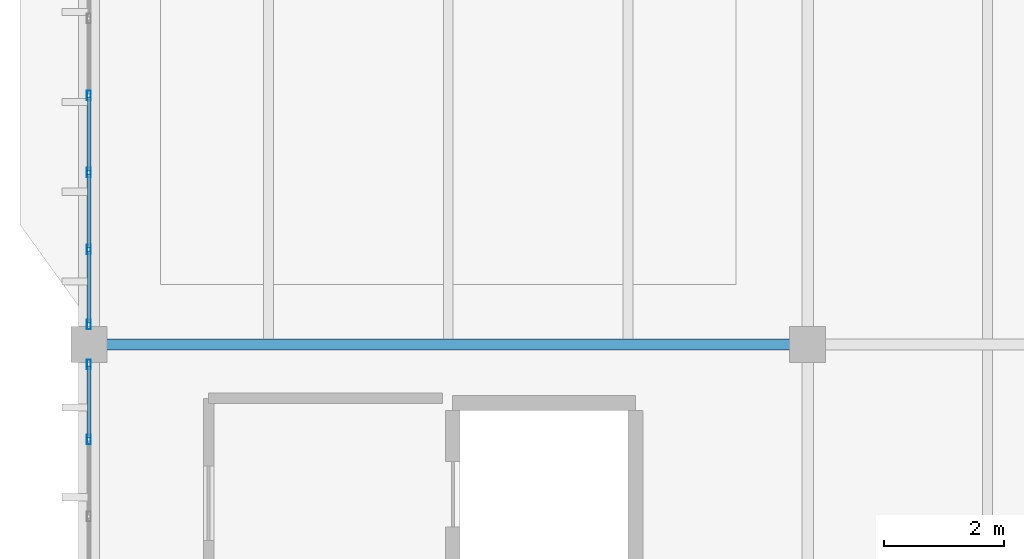
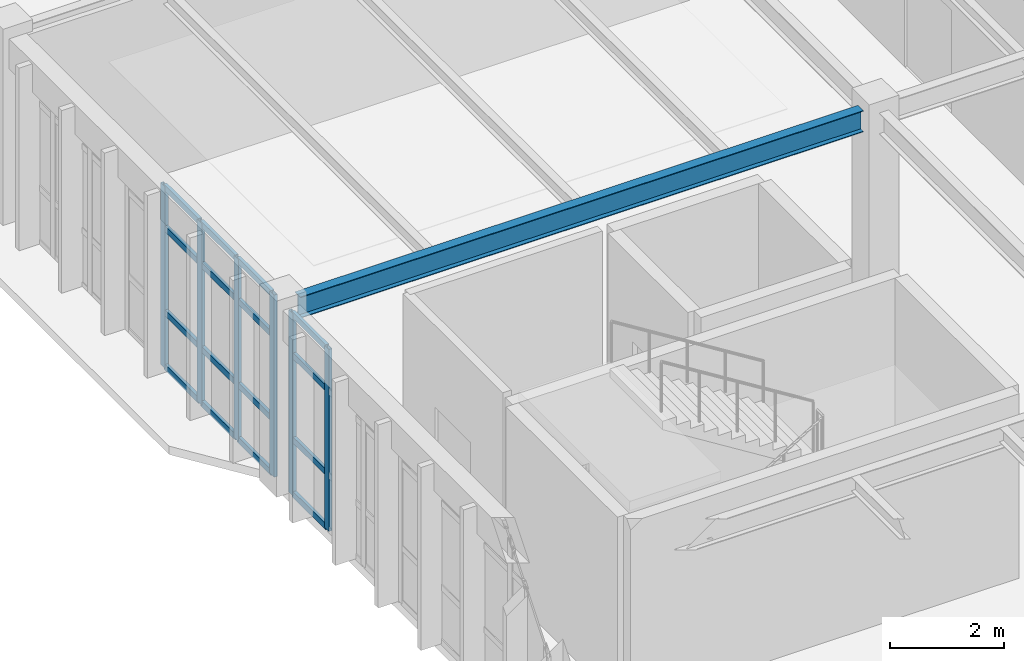
# One storey, part 11 of 37: 22 members, 1 beam, 2 elements without a shape of their own.
"""IFC4 building model written with IfcOpenShell, lengths in metres."""

from ifc_helpers import new_model, si_unit, direction, frame, origin, origin_2d, place, context, subcontext, project, spatial, hollow_rectangle, i_section, extrude, material, layer, layer_set, material_profile, profile_set, type_object, element, aggregate, save


model = new_model("IFC4")

# Units and contexts
model_context = context("Model", 3, precision=1e-05, world=origin(), true_north=direction((0.0, 1.0)))
body_context = subcontext(model_context, "Body", "Model", "MODEL_VIEW")
ifc_project = project(units=[si_unit("LENGTHUNIT", "METRE"), si_unit("AREAUNIT", "SQUARE_METRE"), si_unit("VOLUMEUNIT", "CUBIC_METRE"), si_unit("PLANEANGLEUNIT", "RADIAN"), si_unit("MASSUNIT", "GRAM", prefix="KILO")], contexts=[model_context])

# Site, building, storey
site_placement = place(None, origin())
site = spatial("IfcSite", under=ifc_project, at=site_placement, CompositionType="ELEMENT")
building_placement = place(site_placement, origin())
building = spatial("IfcBuilding", under=site, at=building_placement, Name="Pandanus Reach Market Hall", CompositionType="ELEMENT")
storey_placement = place(building_placement, frame((0.0, 0.0, 14.39990234375)))
storey = spatial("IfcBuildingStorey", under=building, at=storey_placement, Name="L03", CompositionType="ELEMENT", Elevation=14.39990234375)

# Beam
ifc_material_1 = material(Name="Steel Grade 350 (350 MPa)", Category="steel")
ifc_material_profile_1 = material_profile(ifc_material_1, i_section(OverallWidth=0.18994140625, OverallDepth=0.45703125, WebThickness=0.009033203125, FlangeThickness=0.014404296875, at=origin_2d()), Name="460UB74.6", Category="LoadBearing")
ifc_profile_set_1 = profile_set([ifc_material_profile_1], Name="Steel Grade 350 (350 MPa)")
beam_type = type_object("IfcBeamType", Name="BM-UB460-I", PredefinedType="BEAM", material=ifc_profile_set_1)
beam_placement = place(storey_placement, frame((144.298095703125, 57.60009765625, 3.726318359375), z_axis=(1.0, 0.0, 0.0), x_axis=(0.0, 1.0, 0.0)))
element("IfcBeam", 1, at=beam_placement, inside=storey, type_object=beam_type, Name="Framing beam BM-UB460-I L03.545", PredefinedType="BEAM", context=body_context, shape_type="SweptSolid", body=[
    extrude(i_section(OverallWidth=0.18994140625, OverallDepth=0.45703125, WebThickness=0.009033203125, FlangeThickness=0.014404296875, at=origin_2d()), origin(), (0.0, 0.0, 1.0), 11.40380859375),
])

# Curtain wall, members
ifc_material_2 = material(Name="Bronze anodised aluminium and low-E glass", Category="aluminium")
ifc_layer = layer(ifc_material_2, 0.159912109375, Name="CW-33")
ifc_layer_set = layer_set([ifc_layer], Name="Bronze anodised aluminium and low-E glass")
curtain_wall_type = type_object("IfcCurtainWallType", Name="CW-33", PredefinedType="NOTDEFINED", material=ifc_layer_set)
curtain_wall_1_placement = place(storey_placement, origin())
curtain_wall_1 = element("IfcCurtainWall", 2, at=curtain_wall_1_placement, inside=storey, type_object=curtain_wall_type, Name="Glazed curtain wall CW-33 CW-0124", PredefinedType="NOTDEFINED")
ifc_material_3 = material(Name="Bronze anodised aluminium", Category="aluminium")
ifc_material_profile_2 = material_profile(ifc_material_3, hollow_rectangle(XDim=0.06494140625, YDim=0.159912109375, WallThickness=0.00390625, at=origin_2d()), Name="ALU65x160", Category="LoadBearing")
ifc_profile_set_2 = profile_set([ifc_material_profile_2], Name="Bronze anodised aluminium")
member_type_1 = type_object("IfcMemberType", Name="CW-M1", PredefinedType="MULLION", material=ifc_profile_set_2)
member_1_placement = place(storey_placement, frame((144.0, 56.014404296875, 0.0), z_axis=(0.0, 0.0, 1.0), x_axis=(-1.0, 0.0, 0.0)))
member_1 = element("IfcMember", 3, at=member_1_placement, type_object=member_type_1, Name="CW-33 mullion 7", PredefinedType="MULLION", context=body_context, shape_type="SweptSolid", body=[
    extrude(hollow_rectangle(XDim=0.06494140625, YDim=0.159912109375, WallThickness=0.00390625, at=origin_2d()), origin(), (0.0, 0.0, 1.0), 3.900146484375),
])
member_2_placement = place(storey_placement, frame((144.0, 57.267578125, 0.0), z_axis=(0.0, 0.0, 1.0), x_axis=(-1.0, 0.0, 0.0)))
member_2 = element("IfcMember", 4, at=member_2_placement, type_object=member_type_1, Name="CW-33 mullion 8", PredefinedType="MULLION", context=body_context, shape_type="SweptSolid", body=[
    extrude(hollow_rectangle(XDim=0.06494140625, YDim=0.159912109375, WallThickness=0.00390625, at=origin_2d()), origin(), (0.0, 0.0, 1.0), 3.900146484375),
])

curtain_wall_2_placement = place(storey_placement, origin())
curtain_wall_2 = element("IfcCurtainWall", 5, at=curtain_wall_2_placement, inside=storey, type_object=curtain_wall_type, Name="Glazed curtain wall CW-33 CW-0125", PredefinedType="NOTDEFINED")
member_3_placement = place(storey_placement, frame((144.0, 57.9326171875, 0.0), z_axis=(0.0, 0.0, 1.0), x_axis=(-1.0, 0.0, 0.0)))
member_3 = element("IfcMember", 6, at=member_3_placement, type_object=member_type_1, Name="CW-33 mullion 1", PredefinedType="MULLION", context=body_context, shape_type="SweptSolid", body=[
    extrude(hollow_rectangle(XDim=0.06494140625, YDim=0.159912109375, WallThickness=0.00390625, at=origin_2d()), origin(), (0.0, 0.0, 1.0), 3.900146484375),
])
member_4_placement = place(storey_placement, frame((144.0, 59.185791015625, 0.0), z_axis=(0.0, 0.0, 1.0), x_axis=(-1.0, 0.0, 0.0)))
member_4 = element("IfcMember", 7, at=member_4_placement, type_object=member_type_1, Name="CW-33 mullion 2", PredefinedType="MULLION", context=body_context, shape_type="SweptSolid", body=[
    extrude(hollow_rectangle(XDim=0.06494140625, YDim=0.159912109375, WallThickness=0.00390625, at=origin_2d()), origin(), (0.0, 0.0, 1.0), 3.900146484375),
])
member_5_placement = place(storey_placement, frame((144.0, 60.471435546875, 0.0), z_axis=(0.0, 0.0, 1.0), x_axis=(-1.0, 0.0, 0.0)))
member_5 = element("IfcMember", 8, at=member_5_placement, type_object=member_type_1, Name="CW-33 mullion 3", PredefinedType="MULLION", context=body_context, shape_type="SweptSolid", body=[
    extrude(hollow_rectangle(XDim=0.06494140625, YDim=0.159912109375, WallThickness=0.00390625, at=origin_2d()), origin(), (0.0, 0.0, 1.0), 3.900146484375),
])
member_6_placement = place(storey_placement, frame((144.0, 61.757080078125, 0.0), z_axis=(0.0, 0.0, 1.0), x_axis=(-1.0, 0.0, 0.0)))
member_6 = element("IfcMember", 9, at=member_6_placement, type_object=member_type_1, Name="CW-33 mullion 4", PredefinedType="MULLION", context=body_context, shape_type="SweptSolid", body=[
    extrude(hollow_rectangle(XDim=0.06494140625, YDim=0.159912109375, WallThickness=0.00390625, at=origin_2d()), origin(), (0.0, 0.0, 1.0), 3.900146484375),
])

# Member
ifc_material_profile_3 = material_profile(ifc_material_3, hollow_rectangle(XDim=0.06494140625, YDim=0.1298828125, WallThickness=0.00390625, at=origin_2d()), Name="ALU65x130", Category="LoadBearing")
ifc_profile_set_3 = profile_set([ifc_material_profile_3], Name="Bronze anodised aluminium")
member_type_2 = type_object("IfcMemberType", Name="CW-T1", PredefinedType="USERDEFINED", material=ifc_profile_set_3)
member_7_placement = place(storey_placement, frame((144.0, 56.046875, 0.03271484375), z_axis=(0.0, 1.0, 0.0), x_axis=(-1.0, 0.0, 0.0)))
member_7 = element("IfcMember", 10, at=member_7_placement, type_object=member_type_2, Name="CW-33 transom 7.1", ObjectType="TRANSOM", PredefinedType="USERDEFINED", context=body_context, shape_type="SweptSolid", body=[
    extrude(hollow_rectangle(XDim=0.06494140625, YDim=0.1298828125, WallThickness=0.00390625, at=origin_2d()), origin(), (0.0, 0.0, 1.0), 1.188232421875),
])

member_8_placement = place(storey_placement, frame((144.0, 56.046875, 1.2001953125), z_axis=(0.0, 1.0, 0.0), x_axis=(-1.0, 0.0, 0.0)))
member_8 = element("IfcMember", 11, at=member_8_placement, type_object=member_type_2, Name="CW-33 transom 7.2", ObjectType="TRANSOM", PredefinedType="USERDEFINED", context=body_context, shape_type="SweptSolid", body=[
    extrude(hollow_rectangle(XDim=0.06494140625, YDim=0.1298828125, WallThickness=0.00390625, at=origin_2d()), origin(), (0.0, 0.0, 1.0), 1.188232421875),
])

member_9_placement = place(storey_placement, frame((144.0, 56.046875, 3.0), z_axis=(0.0, 1.0, 0.0), x_axis=(-1.0, 0.0, 0.0)))
member_9 = element("IfcMember", 12, at=member_9_placement, type_object=member_type_2, Name="CW-33 transom 7.3", ObjectType="TRANSOM", PredefinedType="USERDEFINED", context=body_context, shape_type="SweptSolid", body=[
    extrude(hollow_rectangle(XDim=0.06494140625, YDim=0.1298828125, WallThickness=0.00390625, at=origin_2d()), origin(), (0.0, 0.0, 1.0), 1.188232421875),
])

member_10_placement = place(storey_placement, frame((144.0, 56.046875, 3.86767578125), z_axis=(0.0, 1.0, 0.0), x_axis=(-1.0, 0.0, 0.0)))
member_10 = element("IfcMember", 13, at=member_10_placement, type_object=member_type_2, Name="CW-33 transom 7.4", ObjectType="TRANSOM", PredefinedType="USERDEFINED", context=body_context, shape_type="SweptSolid", body=[
    extrude(hollow_rectangle(XDim=0.06494140625, YDim=0.1298828125, WallThickness=0.00390625, at=origin_2d()), origin(), (0.0, 0.0, 1.0), 1.188232421875),
])

aggregate(curtain_wall_1, [member_1, member_2, member_7, member_8, member_9, member_10])

member_11_placement = place(storey_placement, frame((144.0, 57.965087890625, 0.03271484375), z_axis=(0.0, 1.0, 0.0), x_axis=(-1.0, 0.0, 0.0)))
member_11 = element("IfcMember", 14, at=member_11_placement, type_object=member_type_2, Name="CW-33 transom 1.1", ObjectType="TRANSOM", PredefinedType="USERDEFINED", context=body_context, shape_type="SweptSolid", body=[
    extrude(hollow_rectangle(XDim=0.06494140625, YDim=0.1298828125, WallThickness=0.00390625, at=origin_2d()), origin(), (0.0, 0.0, 1.0), 1.188232421875),
])

member_12_placement = place(storey_placement, frame((144.0, 57.965087890625, 1.2001953125), z_axis=(0.0, 1.0, 0.0), x_axis=(-1.0, 0.0, 0.0)))
member_12 = element("IfcMember", 15, at=member_12_placement, type_object=member_type_2, Name="CW-33 transom 1.2", ObjectType="TRANSOM", PredefinedType="USERDEFINED", context=body_context, shape_type="SweptSolid", body=[
    extrude(hollow_rectangle(XDim=0.06494140625, YDim=0.1298828125, WallThickness=0.00390625, at=origin_2d()), origin(), (0.0, 0.0, 1.0), 1.188232421875),
])

member_13_placement = place(storey_placement, frame((144.0, 57.965087890625, 3.0), z_axis=(0.0, 1.0, 0.0), x_axis=(-1.0, 0.0, 0.0)))
member_13 = element("IfcMember", 16, at=member_13_placement, type_object=member_type_2, Name="CW-33 transom 1.3", ObjectType="TRANSOM", PredefinedType="USERDEFINED", context=body_context, shape_type="SweptSolid", body=[
    extrude(hollow_rectangle(XDim=0.06494140625, YDim=0.1298828125, WallThickness=0.00390625, at=origin_2d()), origin(), (0.0, 0.0, 1.0), 1.188232421875),
])

member_14_placement = place(storey_placement, frame((144.0, 57.965087890625, 3.86767578125), z_axis=(0.0, 1.0, 0.0), x_axis=(-1.0, 0.0, 0.0)))
member_14 = element("IfcMember", 17, at=member_14_placement, type_object=member_type_2, Name="CW-33 transom 1.4", ObjectType="TRANSOM", PredefinedType="USERDEFINED", context=body_context, shape_type="SweptSolid", body=[
    extrude(hollow_rectangle(XDim=0.06494140625, YDim=0.1298828125, WallThickness=0.00390625, at=origin_2d()), origin(), (0.0, 0.0, 1.0), 1.188232421875),
])

member_15_placement = place(storey_placement, frame((144.0, 59.21826171875, 0.03271484375), z_axis=(0.0, 1.0, 0.0), x_axis=(-1.0, 0.0, 0.0)))
member_15 = element("IfcMember", 18, at=member_15_placement, type_object=member_type_2, Name="CW-33 transom 2.1", ObjectType="TRANSOM", PredefinedType="USERDEFINED", context=body_context, shape_type="SweptSolid", body=[
    extrude(hollow_rectangle(XDim=0.06494140625, YDim=0.1298828125, WallThickness=0.00390625, at=origin_2d()), origin(), (0.0, 0.0, 1.0), 1.220703125),
])

member_16_placement = place(storey_placement, frame((144.0, 59.21826171875, 1.2001953125), z_axis=(0.0, 1.0, 0.0), x_axis=(-1.0, 0.0, 0.0)))
member_16 = element("IfcMember", 19, at=member_16_placement, type_object=member_type_2, Name="CW-33 transom 2.2", ObjectType="TRANSOM", PredefinedType="USERDEFINED", context=body_context, shape_type="SweptSolid", body=[
    extrude(hollow_rectangle(XDim=0.06494140625, YDim=0.1298828125, WallThickness=0.00390625, at=origin_2d()), origin(), (0.0, 0.0, 1.0), 1.220703125),
])

member_17_placement = place(storey_placement, frame((144.0, 59.21826171875, 3.0), z_axis=(0.0, 1.0, 0.0), x_axis=(-1.0, 0.0, 0.0)))
member_17 = element("IfcMember", 20, at=member_17_placement, type_object=member_type_2, Name="CW-33 transom 2.3", ObjectType="TRANSOM", PredefinedType="USERDEFINED", context=body_context, shape_type="SweptSolid", body=[
    extrude(hollow_rectangle(XDim=0.06494140625, YDim=0.1298828125, WallThickness=0.00390625, at=origin_2d()), origin(), (0.0, 0.0, 1.0), 1.220703125),
])

member_18_placement = place(storey_placement, frame((144.0, 59.21826171875, 3.86767578125), z_axis=(0.0, 1.0, 0.0), x_axis=(-1.0, 0.0, 0.0)))
member_18 = element("IfcMember", 21, at=member_18_placement, type_object=member_type_2, Name="CW-33 transom 2.4", ObjectType="TRANSOM", PredefinedType="USERDEFINED", context=body_context, shape_type="SweptSolid", body=[
    extrude(hollow_rectangle(XDim=0.06494140625, YDim=0.1298828125, WallThickness=0.00390625, at=origin_2d()), origin(), (0.0, 0.0, 1.0), 1.220703125),
])

member_19_placement = place(storey_placement, frame((144.0, 60.50390625, 0.03271484375), z_axis=(0.0, 1.0, 0.0), x_axis=(-1.0, 0.0, 0.0)))
member_19 = element("IfcMember", 22, at=member_19_placement, type_object=member_type_2, Name="CW-33 transom 3.1", ObjectType="TRANSOM", PredefinedType="USERDEFINED", context=body_context, shape_type="SweptSolid", body=[
    extrude(hollow_rectangle(XDim=0.06494140625, YDim=0.1298828125, WallThickness=0.00390625, at=origin_2d()), origin(), (0.0, 0.0, 1.0), 1.220703125),
])

member_20_placement = place(storey_placement, frame((144.0, 60.50390625, 1.2001953125), z_axis=(0.0, 1.0, 0.0), x_axis=(-1.0, 0.0, 0.0)))
member_20 = element("IfcMember", 23, at=member_20_placement, type_object=member_type_2, Name="CW-33 transom 3.2", ObjectType="TRANSOM", PredefinedType="USERDEFINED", context=body_context, shape_type="SweptSolid", body=[
    extrude(hollow_rectangle(XDim=0.06494140625, YDim=0.1298828125, WallThickness=0.00390625, at=origin_2d()), origin(), (0.0, 0.0, 1.0), 1.220703125),
])

member_21_placement = place(storey_placement, frame((144.0, 60.50390625, 3.0), z_axis=(0.0, 1.0, 0.0), x_axis=(-1.0, 0.0, 0.0)))
member_21 = element("IfcMember", 24, at=member_21_placement, type_object=member_type_2, Name="CW-33 transom 3.3", ObjectType="TRANSOM", PredefinedType="USERDEFINED", context=body_context, shape_type="SweptSolid", body=[
    extrude(hollow_rectangle(XDim=0.06494140625, YDim=0.1298828125, WallThickness=0.00390625, at=origin_2d()), origin(), (0.0, 0.0, 1.0), 1.220703125),
])

member_22_placement = place(storey_placement, frame((144.0, 60.50390625, 3.86767578125), z_axis=(0.0, 1.0, 0.0), x_axis=(-1.0, 0.0, 0.0)))
member_22 = element("IfcMember", 25, at=member_22_placement, type_object=member_type_2, Name="CW-33 transom 3.4", ObjectType="TRANSOM", PredefinedType="USERDEFINED", context=body_context, shape_type="SweptSolid", body=[
    extrude(hollow_rectangle(XDim=0.06494140625, YDim=0.1298828125, WallThickness=0.00390625, at=origin_2d()), origin(), (0.0, 0.0, 1.0), 1.220703125),
])

aggregate(curtain_wall_2, [member_3, member_4, member_5, member_6, member_11, member_12, member_13, member_14, member_15, member_16, member_17, member_18, member_19, member_20, member_21, member_22])

save(model, "model.ifc")
